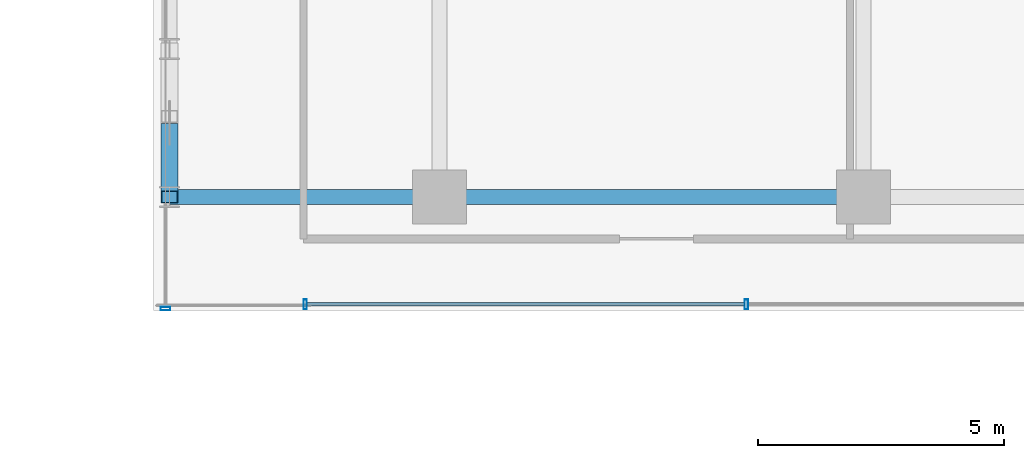
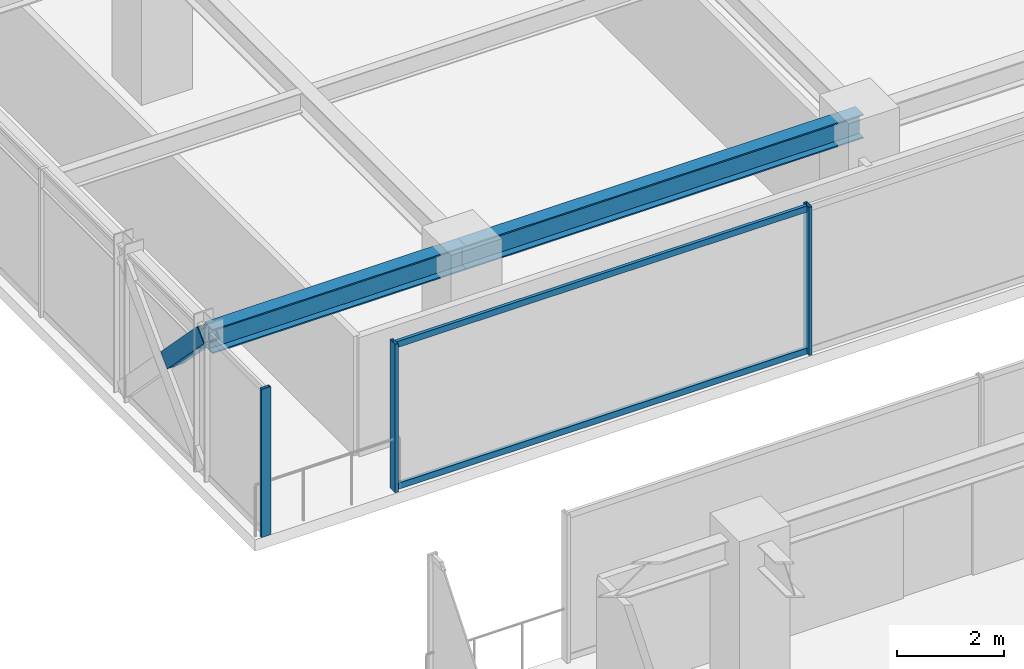
# One storey, part 8 of 36: 6 members, 2 beams, 2 elements without a shape of their own.
"""IFC4 building model written with IfcOpenShell, lengths in metres."""

from ifc_helpers import new_model, si_unit, direction, frame, origin, origin_2d, place, context, subcontext, project, spatial, hollow_rectangle, i_section, extrude, source, transform, mapped, material, material_profile, profile_set, type_object, element, aggregate, save


model = new_model("IFC4")

# Units and contexts
model_context = context("Model", 3, precision=1e-05, world=origin(), true_north=direction((0.0, 1.0)))
body_context = subcontext(model_context, "Body", "Model", "MODEL_VIEW")
ifc_project = project(units=[si_unit("LENGTHUNIT", "METRE"), si_unit("AREAUNIT", "SQUARE_METRE"), si_unit("VOLUMEUNIT", "CUBIC_METRE"), si_unit("PLANEANGLEUNIT", "RADIAN"), si_unit("MASSUNIT", "GRAM", prefix="KILO")], contexts=[model_context])

# Site, building, storey
site_placement = place(None, origin())
site = spatial("IfcSite", under=ifc_project, at=site_placement, CompositionType="ELEMENT")
building_placement = place(site_placement, origin())
building = spatial("IfcBuilding", under=site, at=building_placement, Name="Nahalor Promenade Grand Hotel", CompositionType="ELEMENT")
storey_placement = place(building_placement, frame((0.0, 0.0, 170.89990234375)))
storey = spatial("IfcBuildingStorey", under=building, at=storey_placement, Name="L43", CompositionType="ELEMENT", Elevation=170.89990234375)

# Beams
ifc_material_1 = material(Name="Steel S355JR", Category="steel")
ifc_material_profile_1 = material_profile(ifc_material_1, i_section(OverallWidth=0.3, OverallDepth=0.55, WebThickness=0.015, FlangeThickness=0.029, at=origin_2d()), Name="HEB 550")
ifc_profile_set_1 = profile_set([ifc_material_profile_1], Name="Steel S355JR")
beam_type = type_object("IfcBeamType", Name="Beam-Girder-HEB550", PredefinedType="BEAM", material=ifc_profile_set_1)
shared_shape_1 = source(origin(), body_context, "Body", "SweptSolid", [
    extrude(i_section(OverallWidth=0.3, OverallDepth=0.55, WebThickness=0.015, FlangeThickness=0.029, at=origin_2d()), origin(), (0.0, 0.0, 1.0), 8.60009765625),
])
beam_1_placement = place(storey_placement, frame((-17.0, 5.39990234375, 3.114990234375), z_axis=(1.0, 0.0, 0.0), x_axis=(0.0, 1.0, 0.0)))
element("IfcBeam", 1, at=beam_1_placement, inside=storey, type_object=beam_type, Name="BM-L43-GX-2-1", PredefinedType="BEAM", context=body_context, shape_type="MappedRepresentation", body=[
    mapped(shared_shape_1, transform((0.0, 0.0, 0.0), scale=1.0)),
])
shared_shape_2 = source(origin(), body_context, "Body", "SweptSolid", [
    extrude(i_section(OverallWidth=0.3, OverallDepth=0.55, WebThickness=0.015, FlangeThickness=0.029, at=origin_2d()), origin(), (0.0, 0.0, 1.0), 5.47998046875),
])
beam_2_placement = place(storey_placement, frame((-22.47998046875, 5.39990234375, 3.114990234375), z_axis=(1.0, 0.0, 0.0), x_axis=(0.0, 1.0, 0.0)))
element("IfcBeam", 2, at=beam_2_placement, inside=storey, type_object=beam_type, Name="BM-L43-GX-2-0", PredefinedType="BEAM", context=body_context, shape_type="MappedRepresentation", body=[
    mapped(shared_shape_2, transform((0.0, 0.0, 0.0), scale=1.0)),
])

# Member
ifc_material_profile_2 = material_profile(ifc_material_1, hollow_rectangle(XDim=0.35, YDim=0.35, WallThickness=0.02, at=origin_2d()), Name="SHS 350x350x20")
ifc_profile_set_2 = profile_set([ifc_material_profile_2], Name="Steel S355JR")
member_type_1 = type_object("IfcMemberType", Name="Mem-VoidBrace-SHS350", PredefinedType="BRACE", material=ifc_profile_set_2)
shared_shape_3 = source(origin(), body_context, "Body", "SweptSolid", [
    extrude(hollow_rectangle(XDim=0.35, YDim=0.35, WallThickness=0.02, at=origin_2d()), origin(), (0.0, 0.0, 1.0), 1.96630859375),
])
member_1_placement = place(storey_placement, frame((-22.47998046875, 6.769775390625, 1.829345703125), z_axis=(0.0, -0.696663391113, 0.71739815966), x_axis=(1.0, 0.0, 0.0)))
element("IfcMember", 3, at=member_1_placement, inside=storey, type_object=member_type_1, Name="EXO-L43-VX2-W1B", PredefinedType="BRACE", context=body_context, shape_type="MappedRepresentation", body=[
    mapped(shared_shape_3, transform((0.0, 0.0, 0.0), scale=1.0)),
])

# Curtain wall, member
ifc_material_2 = material(Name="Anodised Bronze Aluminium EN AW-6063 T6", Category="aluminium")
curtain_wall_type = type_object("IfcCurtainWallType", Name="CW3 Elliptical-Void Collar Unitised Curtain Wall", PredefinedType="USERDEFINED", material=ifc_material_2)
curtain_wall_1_placement = place(storey_placement, origin())
curtain_wall_1 = element("IfcCurtainWall", 4, at=curtain_wall_1_placement, inside=storey, type_object=curtain_wall_type, Name="L43 Curtain Wall CW-L43-W-4", ObjectType="UNITISED_CURTAIN_WALL", PredefinedType="USERDEFINED")
ifc_material_profile_3 = material_profile(ifc_material_2, hollow_rectangle(XDim=0.07, YDim=0.2, WallThickness=0.005, at=origin_2d()), Name="CWM 70x200x5")
ifc_profile_set_3 = profile_set([ifc_material_profile_3], Name="Anodised Bronze Aluminium EN AW-6063 T6")
member_type_2 = type_object("IfcMemberType", Name="CWM3 Void Collar Mullion 70x200", PredefinedType="MULLION", material=ifc_profile_set_3)
shared_shape_4 = source(origin(), body_context, "Body", "SweptSolid", [
    extrude(hollow_rectangle(XDim=0.07, YDim=0.2, WallThickness=0.005, at=origin_2d()), origin(), (0.0, 0.0, 1.0), 3.39013671875),
])
member_2_placement = place(storey_placement, frame((-22.56005859375, 3.135009765625, 0.0), z_axis=(0.0, 0.0, 1.0), x_axis=(0.0, 1.0, 0.0)))
member_2 = element("IfcMember", 5, at=member_2_placement, type_object=member_type_2, Name="CW-L43-W-4 Mullion 0", PredefinedType="MULLION", context=body_context, shape_type="MappedRepresentation", body=[
    mapped(shared_shape_4, transform((0.0, 0.0, 0.0), scale=1.0)),
])
aggregate(curtain_wall_1, [member_2])

# Curtain wall, members
curtain_wall_2_placement = place(storey_placement, origin())
curtain_wall_2 = element("IfcCurtainWall", 6, at=curtain_wall_2_placement, inside=storey, type_object=curtain_wall_type, Name="L43 Curtain Wall CW-L43-VOID-WN1", ObjectType="UNITISED_CURTAIN_WALL", PredefinedType="USERDEFINED")
member_3_placement = place(storey_placement, frame((-19.72509765625, 3.219970703125, 0.0), z_axis=(0.0, 0.0, 1.0), x_axis=(1.0, 0.0, 0.0)))
member_3 = element("IfcMember", 7, at=member_3_placement, type_object=member_type_2, Name="CW-L43-VOID-WN1 Mullion 0", PredefinedType="MULLION", context=body_context, shape_type="MappedRepresentation", body=[
    mapped(shared_shape_4, transform((0.0, 0.0, 0.0), scale=1.0)),
])
member_4_placement = place(storey_placement, frame((-10.7734375, 3.219970703125, 0.0), z_axis=(0.0, 0.0, 1.0), x_axis=(1.0, 0.0, 0.0)))
member_4 = element("IfcMember", 8, at=member_4_placement, type_object=member_type_2, Name="CW-L43-VOID-WN1 Mullion 1", PredefinedType="MULLION", context=body_context, shape_type="MappedRepresentation", body=[
    mapped(shared_shape_4, transform((0.0, 0.0, 0.0), scale=1.0)),
])
ifc_material_profile_4 = material_profile(ifc_material_2, hollow_rectangle(XDim=0.07, YDim=0.14, WallThickness=0.004, at=origin_2d()), Name="CWT 70x140x4")
ifc_profile_set_4 = profile_set([ifc_material_profile_4], Name="Anodised Bronze Aluminium EN AW-6063 T6")
member_type_3 = type_object("IfcMemberType", Name="CWT3 Void Collar Transom 70x140", PredefinedType="USERDEFINED", material=ifc_profile_set_4)
shared_shape_5 = source(origin(), body_context, "Body", "SweptSolid", [
    extrude(hollow_rectangle(XDim=0.07, YDim=0.14, WallThickness=0.004, at=origin_2d()), origin(), (0.0, 0.0, 1.0), 8.881591796875),
])
member_5_placement = place(storey_placement, frame((-19.68994140625, 3.219970703125, 0.070068359375), z_axis=(1.0, 0.0, 0.0), x_axis=(0.0, 1.0, 0.0)))
member_5 = element("IfcMember", 9, at=member_5_placement, type_object=member_type_3, Name="CW-L43-VOID-WN1 Transom 0-0", ObjectType="TRANSOM", PredefinedType="USERDEFINED", context=body_context, shape_type="MappedRepresentation", body=[
    mapped(shared_shape_5, transform((0.0, 0.0, 0.0), scale=1.0)),
])
member_6_placement = place(storey_placement, frame((-19.68994140625, 3.219970703125, 3.320068359375), z_axis=(1.0, 0.0, 0.0), x_axis=(0.0, 1.0, 0.0)))
member_6 = element("IfcMember", 10, at=member_6_placement, type_object=member_type_3, Name="CW-L43-VOID-WN1 Transom 0-1", ObjectType="TRANSOM", PredefinedType="USERDEFINED", context=body_context, shape_type="MappedRepresentation", body=[
    mapped(shared_shape_5, transform((0.0, 0.0, 0.0), scale=1.0)),
])
aggregate(curtain_wall_2, [member_3, member_4, member_5, member_6])

save(model, "model.ifc")
